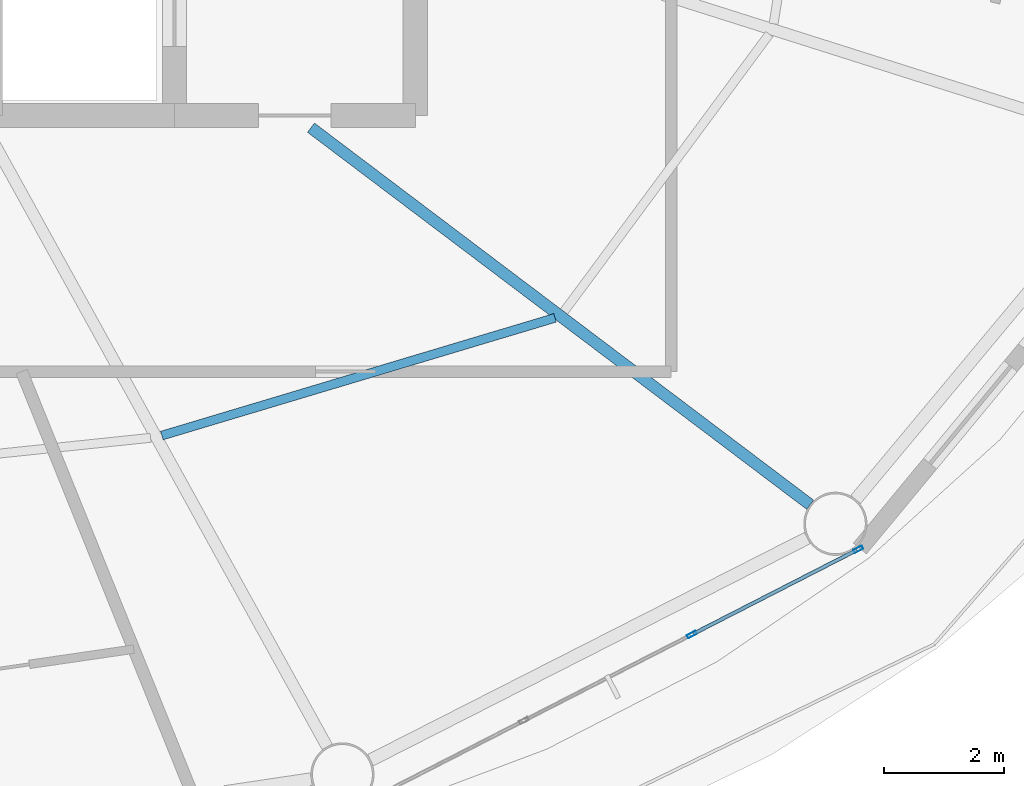
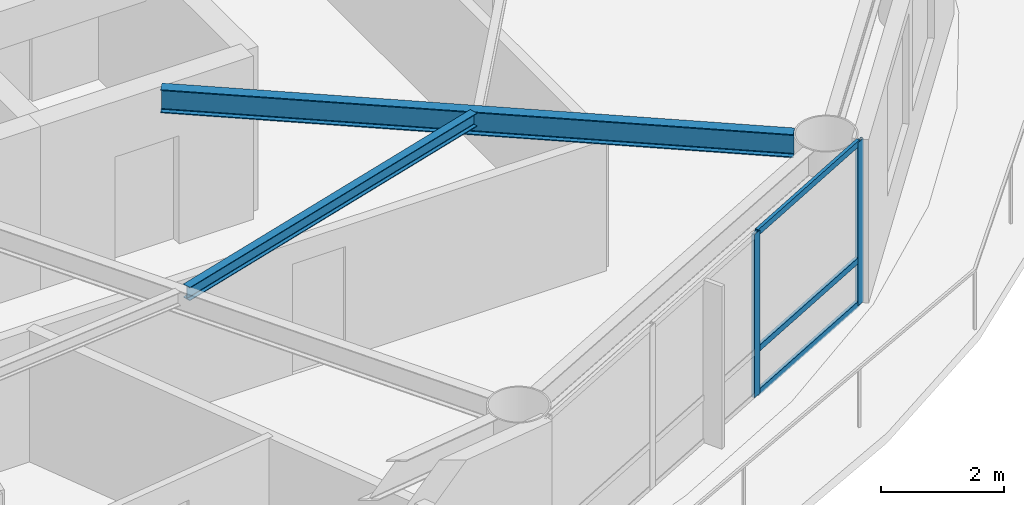
# One storey, part 7 of 24: 5 members, 2 beams, 1 element without a shape of its own.
"""IFC4 building model written with IfcOpenShell, lengths in metres."""

from ifc_helpers import new_model, si_unit, direction, frame, origin, origin_2d, place, context, subcontext, project, spatial, hollow_rectangle, i_section, extrude, material, layer, layer_set, material_profile, profile_set, type_object, element, aggregate, save


model = new_model("IFC4")

# Units and contexts
model_context = context("Model", 3, precision=1e-05, world=origin(), true_north=direction((0.0, 1.0)))
body_context = subcontext(model_context, "Body", "Model", "MODEL_VIEW")
ifc_project = project(units=[si_unit("LENGTHUNIT", "METRE"), si_unit("AREAUNIT", "SQUARE_METRE"), si_unit("VOLUMEUNIT", "CUBIC_METRE"), si_unit("PLANEANGLEUNIT", "RADIAN"), si_unit("MASSUNIT", "GRAM", prefix="KILO")], contexts=[model_context])

# Site, building, storey
site_placement = place(None, origin())
site = spatial("IfcSite", under=ifc_project, at=site_placement, CompositionType="ELEMENT")
building_placement = place(site_placement, origin())
building = spatial("IfcBuilding", under=site, at=building_placement, Name="Sarneth Arch Tower", CompositionType="ELEMENT")
storey_placement = place(building_placement, frame((0.0, 0.0, 253.199951171875)))
storey = spatial("IfcBuildingStorey", under=building, at=storey_placement, Name="L65", CompositionType="ELEMENT", Elevation=253.199951171875)

# Beams
ifc_material_1 = material(Name="Steel S355", Category="steel")
ifc_material_profile_1 = material_profile(ifc_material_1, i_section(OverallWidth=0.14794921875, OverallDepth=0.26611328125, WebThickness=0.007568359375, FlangeThickness=0.012939453125, FilletRadius=0.012939453125, at=origin_2d()), Name="W250x44.8")
ifc_profile_set_1 = profile_set([ifc_material_profile_1], Name="Steel S355")
beam_type_1 = type_object("IfcBeamType", Name="BM-JOIST-250", PredefinedType="JOIST", material=ifc_profile_set_1)
beam_1_placement = place(storey_placement, frame((54.79248046875, 29.88818359375, 3.116943359375), z_axis=(0.957984908347, 0.286818610589, 0.0), x_axis=(-0.286818610589, 0.957984908347, 0.0)))
element("IfcBeam", 1, at=beam_1_placement, inside=storey, type_object=beam_type_1, Name="L65 Secondary floor joist 14", PredefinedType="JOIST", context=body_context, shape_type="SweptSolid", body=[
    extrude(i_section(OverallWidth=0.14794921875, OverallDepth=0.26611328125, WebThickness=0.007568359375, FlangeThickness=0.012939453125, FilletRadius=0.012939453125, at=origin_2d()), origin(), (0.0, 0.0, 1.0), 6.81396484375),
])
ifc_material_2 = material(Name="Steel S355", Category="steel")
ifc_material_profile_2 = material_profile(ifc_material_2, i_section(OverallWidth=0.19189453125, OverallDepth=0.462890625, WebThickness=0.010498046875, FlangeThickness=0.017578125, FilletRadius=0.01806640625, at=origin_2d()), Name="W460x89")
ifc_profile_set_2 = profile_set([ifc_material_profile_2], Name="Steel S355")
beam_type_2 = type_object("IfcBeamType", Name="BM-RAD-460B", PredefinedType="BEAM", material=ifc_profile_set_2)
beam_2_placement = place(storey_placement, frame((57.26806640625, 35.0, 3.0185546875), z_axis=(0.79797308069, -0.60269309146, 0.0), x_axis=(0.60269309146, 0.79797308069, 0.0)))
element("IfcBeam", 2, at=beam_2_placement, inside=storey, type_object=beam_type_2, Name="L65 Radial floor girder 15", PredefinedType="BEAM", context=body_context, shape_type="SweptSolid", body=[
    extrude(i_section(OverallWidth=0.19189453125, OverallDepth=0.462890625, WebThickness=0.010498046875, FlangeThickness=0.017578125, FilletRadius=0.01806640625, at=origin_2d()), origin(), (0.0, 0.0, 1.0), 10.38671875),
])

# Curtain wall, members
ifc_material_3 = material(Name="Anodised aluminium Type AA25 and solar-control low-e laminated IGU", Category="aluminium")
ifc_layer = layer(ifc_material_3, 0.179931640625)
ifc_layer_set = layer_set([ifc_layer], Name="Anodised aluminium Type AA25 and solar-control low-e laminated IGU")
curtain_wall_type = type_object("IfcCurtainWallType", Name="CW-RES-HIGH", PredefinedType="NOTDEFINED", material=ifc_layer_set)
curtain_wall_placement = place(storey_placement, origin())
curtain_wall = element("IfcCurtainWall", 3, at=curtain_wall_placement, inside=storey, type_object=curtain_wall_type, Name="L65 Unitised curtain wall facet 14", PredefinedType="NOTDEFINED")
ifc_material_4 = material(Name="Anodised Aluminium 6063-T6", Category="aluminium")
ifc_material_profile_3 = material_profile(ifc_material_4, hollow_rectangle(XDim=0.06005859375, YDim=0.159912109375, WallThickness=0.00390625, at=origin_2d()), Name="AL-MULL-160x60x4")
ifc_profile_set_3 = profile_set([ifc_material_profile_3], Name="Anodised Aluminium 6063-T6")
member_type_1 = type_object("IfcMemberType", Name="CW-MULLION", PredefinedType="MULLION", material=ifc_profile_set_3)
member_1_placement = place(storey_placement, frame((63.592529296875, 26.584228515625, 0.0), z_axis=(0.0, 0.0, 1.0), x_axis=(-0.455941901753, 0.890009540525, 0.0)))
member_1 = element("IfcMember", 4, at=member_1_placement, type_object=member_type_1, Name="CW-SYS-6 mullion 3", PredefinedType="MULLION", context=body_context, shape_type="SweptSolid", body=[
    extrude(hollow_rectangle(XDim=0.06005859375, YDim=0.159912109375, WallThickness=0.00390625, at=origin_2d()), origin(), (0.0, 0.0, 1.0), 3.25),
])
member_2_placement = place(storey_placement, frame((66.355712890625, 27.999755859375, 0.0), z_axis=(0.0, 0.0, 1.0), x_axis=(-0.455941901753, 0.890009540525, 0.0)))
member_2 = element("IfcMember", 5, at=member_2_placement, type_object=member_type_1, Name="CW-SYS-6 mullion 4", PredefinedType="MULLION", context=body_context, shape_type="SweptSolid", body=[
    extrude(hollow_rectangle(XDim=0.06005859375, YDim=0.159912109375, WallThickness=0.00390625, at=origin_2d()), origin(), (0.0, 0.0, 1.0), 3.25),
])
ifc_material_5 = material(Name="Anodised Aluminium 6063-T6", Category="aluminium")
ifc_material_profile_4 = material_profile(ifc_material_5, hollow_rectangle(XDim=0.06005859375, YDim=0.1201171875, WallThickness=0.00390625, at=origin_2d()), Name="AL-TRAN-120x60x4")
ifc_profile_set_4 = profile_set([ifc_material_profile_4], Name="Anodised Aluminium 6063-T6")
member_type_2 = type_object("IfcMemberType", Name="CW-TRANSOM", PredefinedType="USERDEFINED", material=ifc_profile_set_4)
member_3_placement = place(storey_placement, frame((63.619140625, 26.597900390625, 0.030029296875), z_axis=(0.890022732705, 0.455916149384, 0.0), x_axis=(-0.455916149384, 0.890022732705, 0.0)))
member_3 = element("IfcMember", 6, at=member_3_placement, type_object=member_type_2, Name="CW-SYS-6 transom 3.1", ObjectType="TRANSOM", PredefinedType="USERDEFINED", context=body_context, shape_type="SweptSolid", body=[
    extrude(hollow_rectangle(XDim=0.06005859375, YDim=0.1201171875, WallThickness=0.00390625, at=origin_2d()), origin(), (0.0, 0.0, 1.0), 3.044921875),
])
member_4_placement = place(storey_placement, frame((63.619140625, 26.597900390625, 0.900146484375), z_axis=(0.890022732705, 0.455916149384, 0.0), x_axis=(-0.455916149384, 0.890022732705, 0.0)))
member_4 = element("IfcMember", 7, at=member_4_placement, type_object=member_type_2, Name="CW-SYS-6 transom 3.2", ObjectType="TRANSOM", PredefinedType="USERDEFINED", context=body_context, shape_type="SweptSolid", body=[
    extrude(hollow_rectangle(XDim=0.06005859375, YDim=0.1201171875, WallThickness=0.00390625, at=origin_2d()), origin(), (0.0, 0.0, 1.0), 3.044921875),
])
member_5_placement = place(storey_placement, frame((63.619140625, 26.597900390625, 3.219970703125), z_axis=(0.890022732705, 0.455916149384, 0.0), x_axis=(-0.455916149384, 0.890022732705, 0.0)))
member_5 = element("IfcMember", 8, at=member_5_placement, type_object=member_type_2, Name="CW-SYS-6 transom 3.3", ObjectType="TRANSOM", PredefinedType="USERDEFINED", context=body_context, shape_type="SweptSolid", body=[
    extrude(hollow_rectangle(XDim=0.06005859375, YDim=0.1201171875, WallThickness=0.00390625, at=origin_2d()), origin(), (0.0, 0.0, 1.0), 3.044921875),
])
aggregate(curtain_wall, [member_1, member_2, member_3, member_4, member_5])

save(model, "model.ifc")
